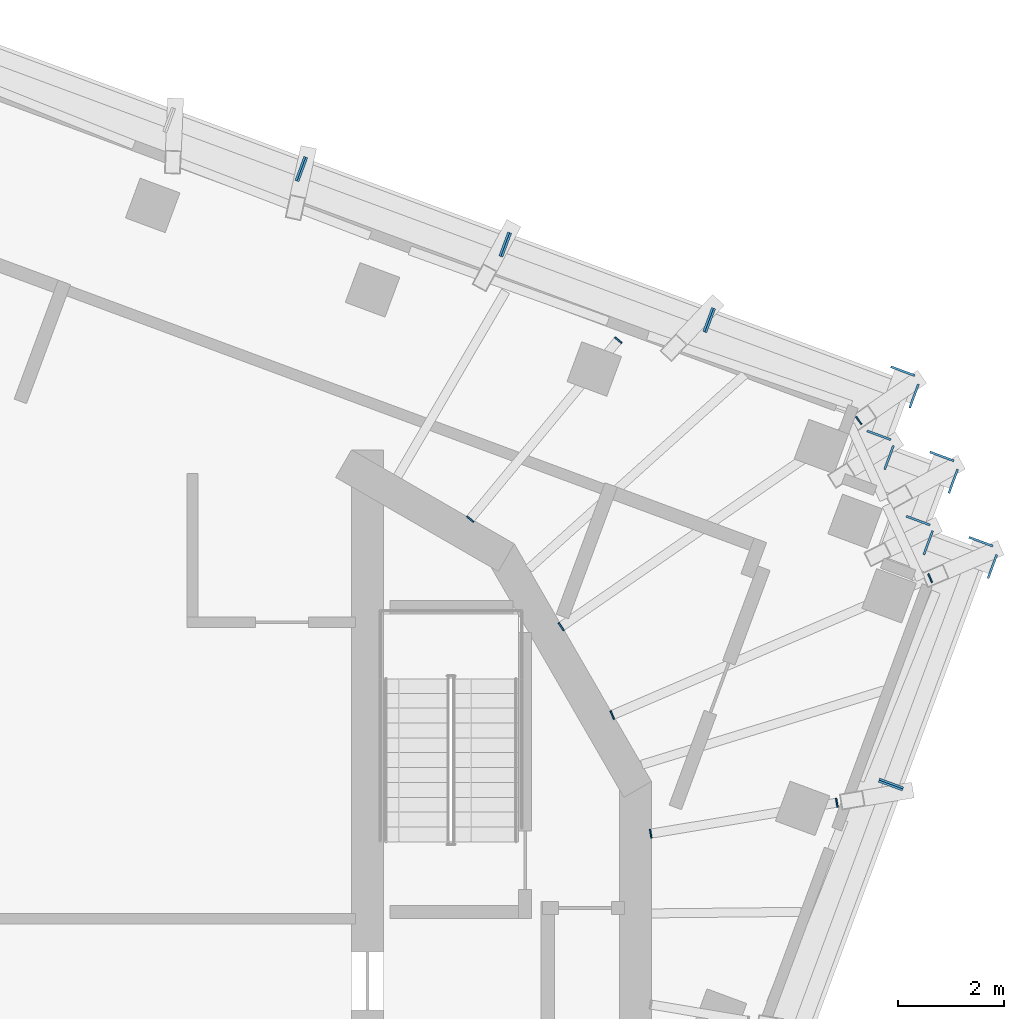
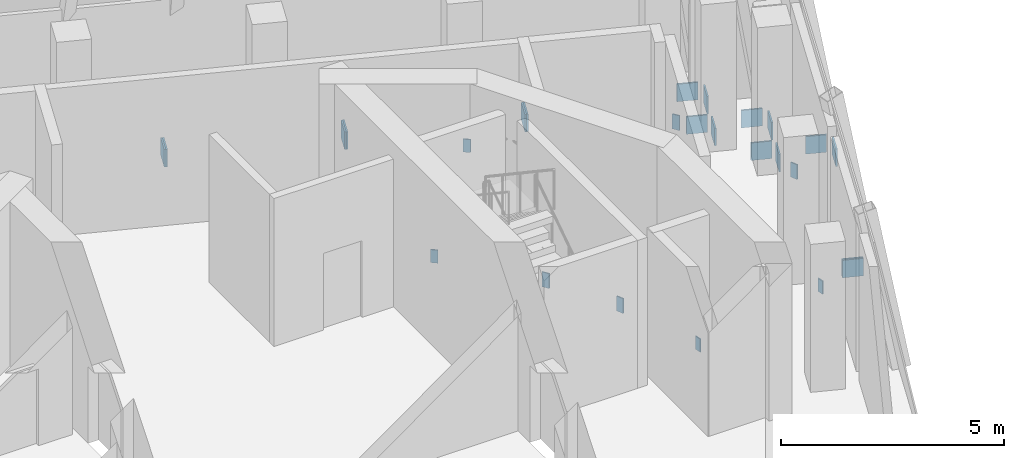
# One storey, part 10 of 12: 26 discrete accessories, 10 elements without a shape of their own.
"""IFC4 building model written with IfcOpenShell, lengths in metres."""

from ifc_helpers import new_model, si_unit, direction, frame, origin, place, context, subcontext, project, spatial, polyline, outline, extrude, material, layer, layer_set, type_object, element, aggregate, save


model = new_model("IFC4")

# Units and contexts
model_context = context("Model", 3, precision=1e-05, world=origin(), true_north=direction((0.0, 1.0)))
body_context = subcontext(model_context, "Body", "Model", "MODEL_VIEW")
ifc_project = project(units=[si_unit("LENGTHUNIT", "METRE"), si_unit("AREAUNIT", "SQUARE_METRE"), si_unit("VOLUMEUNIT", "CUBIC_METRE"), si_unit("PLANEANGLEUNIT", "RADIAN"), si_unit("MASSUNIT", "GRAM", prefix="KILO")], contexts=[model_context])

# Site, building, storey
site_placement = place(None, origin())
site = spatial("IfcSite", under=ifc_project, at=site_placement, CompositionType="ELEMENT")
building_placement = place(site_placement, origin())
building = spatial("IfcBuilding", under=site, at=building_placement, Name="Cantera Rosa Tower", CompositionType="ELEMENT")
storey_placement = place(building_placement, frame((0.0, 0.0, 360.699951171875)))
storey = spatial("IfcBuildingStorey", under=building, at=storey_placement, Name="L81", CompositionType="ELEMENT", Elevation=360.699951171875)

# Curtain wall, discrete accessories
ifc_material_1 = material(Name="Aluminium frame with clear glass", Category="aluminium")
curtain_wall_type = type_object("IfcCurtainWallType", Name="CW4 CROWN GLAZING", PredefinedType="NOTDEFINED", material=ifc_material_1)
curtain_wall_1_placement = place(storey_placement, origin())
curtain_wall_1 = element("IfcCurtainWall", 1, at=curtain_wall_1_placement, inside=storey, type_object=curtain_wall_type, Name="CW4 L81-01", PredefinedType="NOTDEFINED")
ifc_material_2 = material(Name="Steel S355J2 (EN 10025-2)", Category="steel")
ifc_layer = layer(ifc_material_2, 0.030029296875)
ifc_layer_set = layer_set([ifc_layer], Name="NODE PLATE 30")
discrete_accessory_type = type_object("IfcDiscreteAccessoryType", Name="NODE PLATE 30", PredefinedType="ANCHORPLATE", material=ifc_layer_set)
discrete_accessory_1_placement = place(storey_placement, frame((14.714599609375, 10.0771484375, -0.43505859375), z_axis=(0.937576914778, -0.347777987911, 0.0), x_axis=(-0.347777987911, -0.937576914778, 0.0)))
discrete_accessory_1 = element("IfcDiscreteAccessory", 2, at=discrete_accessory_1_placement, type_object=discrete_accessory_type, Name="END PLATE TE0", PredefinedType="ANCHORPLATE", context=body_context, shape_type="SweptSolid", body=[
    extrude(outline(polyline([(0.0, 0.0), (0.4801689391068604, 0.0), (0.4801689391068604, 0.47998046875), (0.0, 0.47998046875), (0.0, 0.0)])), origin(), (0.0, 0.0, -1.0), 0.0400390625),
])
discrete_accessory_2_placement = place(storey_placement, frame((10.6259765625, 11.080322265625, -0.43505859375), z_axis=(-0.937742626232, 0.347330918501, 0.0), x_axis=(0.347330918501, 0.937742626232, 0.0)))
discrete_accessory_2 = element("IfcDiscreteAccessory", 3, at=discrete_accessory_2_placement, type_object=discrete_accessory_type, Name="END PLATE TE1", PredefinedType="ANCHORPLATE", context=body_context, shape_type="SweptSolid", body=[
    extrude(outline(polyline([(0.0, 0.0), (0.4800840869406107, 0.0), (0.4800840869406107, 0.47998046875), (0.0, 0.47998046875), (0.0, 0.0)])), origin(), (0.0, 0.0, -1.0), 0.0400390625),
])
aggregate(curtain_wall_1, [discrete_accessory_1, discrete_accessory_2])

curtain_wall_2_placement = place(storey_placement, origin())
curtain_wall_2 = element("IfcCurtainWall", 4, at=curtain_wall_2_placement, inside=storey, type_object=curtain_wall_type, Name="CW4 L81-02", PredefinedType="NOTDEFINED")
discrete_accessory_3_placement = place(storey_placement, frame((10.86767578125, 11.502685546875, -0.43505859375), z_axis=(0.937742626232, -0.347330918501, 0.0), x_axis=(-0.347330918501, -0.937742626232, 0.0)))
discrete_accessory_3 = element("IfcDiscreteAccessory", 5, at=discrete_accessory_3_placement, type_object=discrete_accessory_type, Name="END PLATE TE0", PredefinedType="ANCHORPLATE", context=body_context, shape_type="SweptSolid", body=[
    extrude(outline(polyline([(0.0, 0.0), (0.4800840869406107, 0.0), (0.4800840869406107, 0.47998046875), (0.0, 0.47998046875), (0.0, 0.0)])), origin(), (0.0, 0.0, -1.0), 0.0400390625),
])
discrete_accessory_4_placement = place(storey_placement, frame((6.779052734375, 12.505859375, -0.43505859375), z_axis=(-0.93751537431, 0.347943850259, 0.0), x_axis=(0.347943850259, 0.93751537431, 0.0)))
discrete_accessory_4 = element("IfcDiscreteAccessory", 6, at=discrete_accessory_4_placement, type_object=discrete_accessory_type, Name="END PLATE TE1", PredefinedType="ANCHORPLATE", context=body_context, shape_type="SweptSolid", body=[
    extrude(outline(polyline([(0.0, 0.0), (0.47994004600337425, 0.0), (0.47994004600337425, 0.47998046875), (0.0, 0.47998046875), (0.0, 0.0)])), origin(), (0.0, 0.0, -1.0), 0.0400390625),
])
aggregate(curtain_wall_2, [discrete_accessory_3, discrete_accessory_4])

curtain_wall_3_placement = place(storey_placement, origin())
curtain_wall_3 = element("IfcCurtainWall", 7, at=curtain_wall_3_placement, inside=storey, type_object=curtain_wall_type, Name="CW4 L81-03", PredefinedType="NOTDEFINED")
discrete_accessory_5_placement = place(storey_placement, frame((7.02099609375, 12.92822265625, -0.43505859375), z_axis=(0.937742626232, -0.347330918501, 0.0), x_axis=(-0.347330918501, -0.937742626232, 0.0)))
discrete_accessory_5 = element("IfcDiscreteAccessory", 8, at=discrete_accessory_5_placement, type_object=discrete_accessory_type, Name="END PLATE TE0", PredefinedType="ANCHORPLATE", context=body_context, shape_type="SweptSolid", body=[
    extrude(outline(polyline([(0.0, 0.0), (0.4800840869406107, 0.0), (0.4800840869406107, 0.47998046875), (0.0, 0.47998046875), (0.0, 0.0)])), origin(), (0.0, 0.0, -1.0), 0.0400390625),
])
discrete_accessory_6_placement = place(storey_placement, frame((2.932373046875, 13.931396484375, -0.43505859375), z_axis=(-0.937681233018, 0.347496626235, 0.0), x_axis=(0.347496626235, 0.937681233018, 0.0)))
discrete_accessory_6 = element("IfcDiscreteAccessory", 9, at=discrete_accessory_6_placement, type_object=discrete_accessory_type, Name="END PLATE TE1", PredefinedType="ANCHORPLATE", context=body_context, shape_type="SweptSolid", body=[
    extrude(outline(polyline([(0.0, 0.0), (0.4798551533622547, 0.0), (0.4798551533622547, 0.47998046875), (0.0, 0.47998046875), (0.0, 0.0)])), origin(), (0.0, 0.0, -1.0), 0.0400390625),
])
aggregate(curtain_wall_3, [discrete_accessory_5, discrete_accessory_6])

# Curtain wall, discrete accessory
curtain_wall_4_placement = place(storey_placement, origin())
curtain_wall_4 = element("IfcCurtainWall", 10, at=curtain_wall_4_placement, inside=storey, type_object=curtain_wall_type, Name="CW4 L81-04", PredefinedType="NOTDEFINED")
discrete_accessory_7_placement = place(storey_placement, frame((3.17431640625, 14.353515625, -0.43505859375), z_axis=(0.93751537431, -0.347943850259, 0.0), x_axis=(-0.347943850259, -0.93751537431, 0.0)))
discrete_accessory_7 = element("IfcDiscreteAccessory", 11, at=discrete_accessory_7_placement, type_object=discrete_accessory_type, Name="END PLATE TE0", PredefinedType="ANCHORPLATE", context=body_context, shape_type="SweptSolid", body=[
    extrude(outline(polyline([(0.0, 0.0), (0.47994004600337425, 0.0), (0.47994004600337425, 0.47998046875), (0.0, 0.47998046875), (0.0, 0.0)])), origin(), (0.0, 0.0, -1.0), 0.0400390625),
])
aggregate(curtain_wall_4, [discrete_accessory_7])

curtain_wall_5_placement = place(storey_placement, origin())
curtain_wall_5 = element("IfcCurtainWall", 12, at=curtain_wall_5_placement, inside=storey, type_object=curtain_wall_type, Name="CW4 L81-31", PredefinedType="NOTDEFINED")
discrete_accessory_8_placement = place(storey_placement, frame((13.96630859375, 2.651123046875, -0.43505859375), z_axis=(0.347496626235, 0.937681233018, 0.0), x_axis=(0.937681233018, -0.347496626235, 0.0)))
discrete_accessory_8 = element("IfcDiscreteAccessory", 13, at=discrete_accessory_8_placement, type_object=discrete_accessory_type, Name="END PLATE TE1", PredefinedType="ANCHORPLATE", context=body_context, shape_type="SweptSolid", body=[
    extrude(outline(polyline([(0.0, 0.0), (0.4798551533622547, 0.0), (0.4798551533622547, 0.47998046875), (0.0, 0.47998046875), (0.0, 0.0)])), origin(), (0.0, 0.0, -1.0), 0.0400390625),
])
aggregate(curtain_wall_5, [discrete_accessory_8])

# Curtain wall, discrete accessories
curtain_wall_6_placement = place(storey_placement, origin())
curtain_wall_6 = element("IfcCurtainWall", 14, at=curtain_wall_6_placement, inside=storey, type_object=curtain_wall_type, Name="CW4 L81-32", PredefinedType="NOTDEFINED")
discrete_accessory_9_placement = place(storey_placement, frame((14.388427734375, 2.409423828125, -0.43505859375), z_axis=(-0.347496626235, -0.937681233018, 0.0), x_axis=(-0.937681233018, 0.347496626235, 0.0)))
discrete_accessory_9 = element("IfcDiscreteAccessory", 15, at=discrete_accessory_9_placement, type_object=discrete_accessory_type, Name="END PLATE TE0", PredefinedType="ANCHORPLATE", context=body_context, shape_type="SweptSolid", body=[
    extrude(outline(polyline([(0.0, 0.0), (0.4798551533622547, 0.0), (0.4798551533622547, 0.47998046875), (0.0, 0.47998046875), (0.0, 0.0)])), origin(), (0.0, 0.0, -1.0), 0.0400390625),
])
discrete_accessory_10_placement = place(storey_placement, frame((15.656982421875, 7.2138671875, -0.43505859375), z_axis=(0.347330918501, 0.937742626232, 0.0), x_axis=(0.937742626232, -0.347330918501, 0.0)))
discrete_accessory_10 = element("IfcDiscreteAccessory", 16, at=discrete_accessory_10_placement, type_object=discrete_accessory_type, Name="END PLATE TE1", PredefinedType="ANCHORPLATE", context=body_context, shape_type="SweptSolid", body=[
    extrude(outline(polyline([(0.0, 0.0), (0.4800840869406107, 0.0), (0.4800840869406107, 0.47998046875), (0.0, 0.47998046875), (0.0, 0.0)])), origin(), (0.0, 0.0, -1.0), 0.0400390625),
])
aggregate(curtain_wall_6, [discrete_accessory_9, discrete_accessory_10])

curtain_wall_7_placement = place(storey_placement, origin())
curtain_wall_7 = element("IfcCurtainWall", 17, at=curtain_wall_7_placement, inside=storey, type_object=curtain_wall_type, Name="CW4 L81-33", PredefinedType="NOTDEFINED")
discrete_accessory_11_placement = place(storey_placement, frame((16.19287109375, 6.861328125, -0.43505859375), z_axis=(0.937681233018, -0.347496626235, 0.0), x_axis=(-0.347496626235, -0.937681233018, 0.0)))
discrete_accessory_11 = element("IfcDiscreteAccessory", 18, at=discrete_accessory_11_placement, type_object=discrete_accessory_type, Name="END PLATE TE0", PredefinedType="ANCHORPLATE", context=body_context, shape_type="SweptSolid", body=[
    extrude(outline(polyline([(0.0, 0.0), (0.4798551533622547, 0.0), (0.4798551533622547, 0.47998046875), (0.0, 0.47998046875), (0.0, 0.0)])), origin(), (0.0, 0.0, -1.0), 0.0400390625),
])
discrete_accessory_12_placement = place(storey_placement, frame((14.778076171875, 6.873779296875, -0.43505859375), z_axis=(-0.937681233018, 0.347496626235, 0.0), x_axis=(0.347496626235, 0.937681233018, 0.0)))
discrete_accessory_12 = element("IfcDiscreteAccessory", 19, at=discrete_accessory_12_placement, type_object=discrete_accessory_type, Name="END PLATE TE1", PredefinedType="ANCHORPLATE", context=body_context, shape_type="SweptSolid", body=[
    extrude(outline(polyline([(0.0, 0.0), (0.4798551533622547, 0.0), (0.4798551533622547, 0.47998046875), (0.0, 0.47998046875), (0.0, 0.0)])), origin(), (0.0, 0.0, -1.0), 0.0400390625),
])
aggregate(curtain_wall_7, [discrete_accessory_11, discrete_accessory_12])

curtain_wall_8_placement = place(storey_placement, origin())
curtain_wall_8 = element("IfcCurtainWall", 20, at=curtain_wall_8_placement, inside=storey, type_object=curtain_wall_type, Name="CW4 L81-34", PredefinedType="NOTDEFINED")
discrete_accessory_13_placement = place(storey_placement, frame((14.90673828125, 7.40771484375, -0.43505859375), z_axis=(-0.347330918501, -0.937742626232, 0.0), x_axis=(-0.937742626232, 0.347330918501, 0.0)))
discrete_accessory_13 = element("IfcDiscreteAccessory", 21, at=discrete_accessory_13_placement, type_object=discrete_accessory_type, Name="END PLATE TE0", PredefinedType="ANCHORPLATE", context=body_context, shape_type="SweptSolid", body=[
    extrude(outline(polyline([(0.0, 0.0), (0.4800840869406107, 0.0), (0.4800840869406107, 0.47998046875), (0.0, 0.47998046875), (0.0, 0.0)])), origin(), (0.0, 0.0, -1.0), 0.0400390625),
])
discrete_accessory_14_placement = place(storey_placement, frame((14.919189453125, 8.822509765625, -0.43505859375), z_axis=(0.347496626235, 0.937681233018, 0.0), x_axis=(0.937681233018, -0.347496626235, 0.0)))
discrete_accessory_14 = element("IfcDiscreteAccessory", 22, at=discrete_accessory_14_placement, type_object=discrete_accessory_type, Name="END PLATE TE1", PredefinedType="ANCHORPLATE", context=body_context, shape_type="SweptSolid", body=[
    extrude(outline(polyline([(0.0, 0.0), (0.4798551533622547, 0.0), (0.4798551533622547, 0.47998046875), (0.0, 0.47998046875), (0.0, 0.0)])), origin(), (0.0, 0.0, -1.0), 0.0400390625),
])
aggregate(curtain_wall_8, [discrete_accessory_13, discrete_accessory_14])

curtain_wall_9_placement = place(storey_placement, origin())
curtain_wall_9 = element("IfcCurtainWall", 23, at=curtain_wall_9_placement, inside=storey, type_object=curtain_wall_type, Name="CW4 L81-35", PredefinedType="NOTDEFINED")
discrete_accessory_15_placement = place(storey_placement, frame((15.45361328125, 8.46923828125, -0.43505859375), z_axis=(0.937681233018, -0.347496626235, 0.0), x_axis=(-0.347496626235, -0.937681233018, 0.0)))
discrete_accessory_15 = element("IfcDiscreteAccessory", 24, at=discrete_accessory_15_placement, type_object=discrete_accessory_type, Name="END PLATE TE0", PredefinedType="ANCHORPLATE", context=body_context, shape_type="SweptSolid", body=[
    extrude(outline(polyline([(0.0, 0.0), (0.4798551533622547, 0.0), (0.4798551533622547, 0.47998046875), (0.0, 0.47998046875), (0.0, 0.0)])), origin(), (0.0, 0.0, -1.0), 0.0400390625),
])
discrete_accessory_16_placement = place(storey_placement, frame((14.038818359375, 8.481689453125, -0.43505859375), z_axis=(-0.937681233018, 0.347496626235, 0.0), x_axis=(0.347496626235, 0.937681233018, 0.0)))
discrete_accessory_16 = element("IfcDiscreteAccessory", 25, at=discrete_accessory_16_placement, type_object=discrete_accessory_type, Name="END PLATE TE1", PredefinedType="ANCHORPLATE", context=body_context, shape_type="SweptSolid", body=[
    extrude(outline(polyline([(0.0, 0.0), (0.4798551533622547, 0.0), (0.4798551533622547, 0.47998046875), (0.0, 0.47998046875), (0.0, 0.0)])), origin(), (0.0, 0.0, -1.0), 0.0400390625),
])
aggregate(curtain_wall_9, [discrete_accessory_15, discrete_accessory_16])

curtain_wall_10_placement = place(storey_placement, origin())
curtain_wall_10 = element("IfcCurtainWall", 26, at=curtain_wall_10_placement, inside=storey, type_object=curtain_wall_type, Name="CW4 L81-36", PredefinedType="NOTDEFINED")
discrete_accessory_17_placement = place(storey_placement, frame((14.168701171875, 9.0166015625, -0.43505859375), z_axis=(-0.347330918501, -0.937742626232, 0.0), x_axis=(-0.937742626232, 0.347330918501, 0.0)))
discrete_accessory_17 = element("IfcDiscreteAccessory", 27, at=discrete_accessory_17_placement, type_object=discrete_accessory_type, Name="END PLATE TE0", PredefinedType="ANCHORPLATE", context=body_context, shape_type="SweptSolid", body=[
    extrude(outline(polyline([(0.0, 0.0), (0.4800840869406107, 0.0), (0.4800840869406107, 0.47998046875), (0.0, 0.47998046875), (0.0, 0.0)])), origin(), (0.0, 0.0, -1.0), 0.0400390625),
])
discrete_accessory_18_placement = place(storey_placement, frame((14.18115234375, 10.431640625, -0.43505859375), z_axis=(0.347943850259, 0.93751537431, 0.0), x_axis=(0.93751537431, -0.347943850259, 0.0)))
discrete_accessory_18 = element("IfcDiscreteAccessory", 28, at=discrete_accessory_18_placement, type_object=discrete_accessory_type, Name="END PLATE TE1", PredefinedType="ANCHORPLATE", context=body_context, shape_type="SweptSolid", body=[
    extrude(outline(polyline([(0.0, 0.0), (0.47994004600337425, 0.0), (0.47994004600337425, 0.47998046875), (0.0, 0.47998046875), (0.0, 0.0)])), origin(), (0.0, 0.0, -1.0), 0.0400390625),
])
aggregate(curtain_wall_10, [discrete_accessory_17, discrete_accessory_18])

# Discrete accessories
discrete_accessory_19_placement = place(storey_placement, frame((0.0, 0.0, -0.85595703125)))
element("IfcDiscreteAccessory", 29, at=discrete_accessory_19_placement, inside=storey, type_object=discrete_accessory_type, Name="END PLATE CG-Z6-01 L81 A", PredefinedType="ANCHORPLATE", context=body_context, shape_type="SweptSolid", body=[
    extrude(outline(polyline([(13.508056640625, 9.46142578125), (13.53271484375, 9.478515625), (13.634033203125, 9.332275390625), (13.609375, 9.315185546875), (13.508056640625, 9.46142578125)])), origin(), (0.0, 0.0, 1.0), 0.406005859375),
])
discrete_accessory_20_placement = place(storey_placement, frame((0.0, 0.0, -0.85595703125)))
element("IfcDiscreteAccessory", 30, at=discrete_accessory_20_placement, inside=storey, type_object=discrete_accessory_type, Name="END PLATE CG-Z6-01 L81 B", PredefinedType="ANCHORPLATE", context=body_context, shape_type="SweptSolid", body=[
    extrude(outline(polyline([(8.018798828125, 5.444091796875), (7.994140625, 5.427001953125), (7.892822265625, 5.5732421875), (7.91748046875, 5.59033203125), (8.018798828125, 5.444091796875)])), origin(), (0.0, 0.0, 1.0), 0.406005859375),
])
discrete_accessory_21_placement = place(storey_placement, frame((0.0, 0.0, -0.805908203125)))
element("IfcDiscreteAccessory", 31, at=discrete_accessory_21_placement, inside=storey, type_object=discrete_accessory_type, Name="END PLATE CG-Z6-02 L81 A", PredefinedType="ANCHORPLATE", context=body_context, shape_type="SweptSolid", body=[
    extrude(outline(polyline([(8.95654296875, 10.9580078125), (8.9755859375, 10.98095703125), (9.107421875, 10.8720703125), (9.088134765625, 10.848876953125), (8.95654296875, 10.9580078125)])), origin(), (0.0, 0.0, 1.0), 0.35595703125),
])
discrete_accessory_22_placement = place(storey_placement, frame((0.0, 0.0, -0.805908203125)))
element("IfcDiscreteAccessory", 32, at=discrete_accessory_22_placement, inside=storey, type_object=discrete_accessory_type, Name="END PLATE CG-Z6-02 L81 B", PredefinedType="ANCHORPLATE", context=body_context, shape_type="SweptSolid", body=[
    extrude(outline(polyline([(6.3115234375, 7.4931640625), (6.292236328125, 7.469970703125), (6.16064453125, 7.5791015625), (6.1796875, 7.602294921875), (6.3115234375, 7.4931640625)])), origin(), (0.0, 0.0, 1.0), 0.35595703125),
])
discrete_accessory_23_placement = place(storey_placement, frame((0.0, 0.0, -0.805908203125)))
element("IfcDiscreteAccessory", 33, at=discrete_accessory_23_placement, inside=storey, type_object=discrete_accessory_type, Name="END PLATE CG-Z6-15 L81 A", PredefinedType="ANCHORPLATE", context=body_context, shape_type="SweptSolid", body=[
    extrude(outline(polyline([(13.126953125, 2.26904296875), (13.156494140625, 2.27392578125), (13.1845703125, 2.105224609375), (13.155029296875, 2.100341796875), (13.126953125, 2.26904296875)])), origin(), (0.0, 0.0, 1.0), 0.35595703125),
])
discrete_accessory_24_placement = place(storey_placement, frame((0.0, 0.0, -0.805908203125)))
element("IfcDiscreteAccessory", 34, at=discrete_accessory_24_placement, inside=storey, type_object=discrete_accessory_type, Name="END PLATE CG-Z6-15 L81 B", PredefinedType="ANCHORPLATE", context=body_context, shape_type="SweptSolid", body=[
    extrude(outline(polyline([(9.67333984375, 1.521484375), (9.643798828125, 1.5166015625), (9.61572265625, 1.685302734375), (9.645263671875, 1.690185546875), (9.67333984375, 1.521484375)])), origin(), (0.0, 0.0, 1.0), 0.35595703125),
])
discrete_accessory_25_placement = place(storey_placement, frame((0.0, 0.0, -0.85595703125)))
element("IfcDiscreteAccessory", 35, at=discrete_accessory_25_placement, inside=storey, type_object=discrete_accessory_type, Name="END PLATE CG-Z6-16 L81 A", PredefinedType="ANCHORPLATE", context=body_context, shape_type="SweptSolid", body=[
    extrude(outline(polyline([(14.866943359375, 6.5), (14.89453125, 6.51171875), (14.96484375, 6.348388671875), (14.937255859375, 6.33642578125), (14.866943359375, 6.5)])), origin(), (0.0, 0.0, 1.0), 0.406005859375),
])
discrete_accessory_26_placement = place(storey_placement, frame((0.0, 0.0, -0.85595703125)))
element("IfcDiscreteAccessory", 36, at=discrete_accessory_26_placement, inside=storey, type_object=discrete_accessory_type, Name="END PLATE CG-Z6-16 L81 B", PredefinedType="ANCHORPLATE", context=body_context, shape_type="SweptSolid", body=[
    extrude(outline(polyline([(8.967529296875, 3.765380859375), (8.940185546875, 3.75341796875), (8.86962890625, 3.9169921875), (8.897216796875, 3.928955078125), (8.967529296875, 3.765380859375)])), origin(), (0.0, 0.0, 1.0), 0.406005859375),
])

save(model, "model.ifc")
